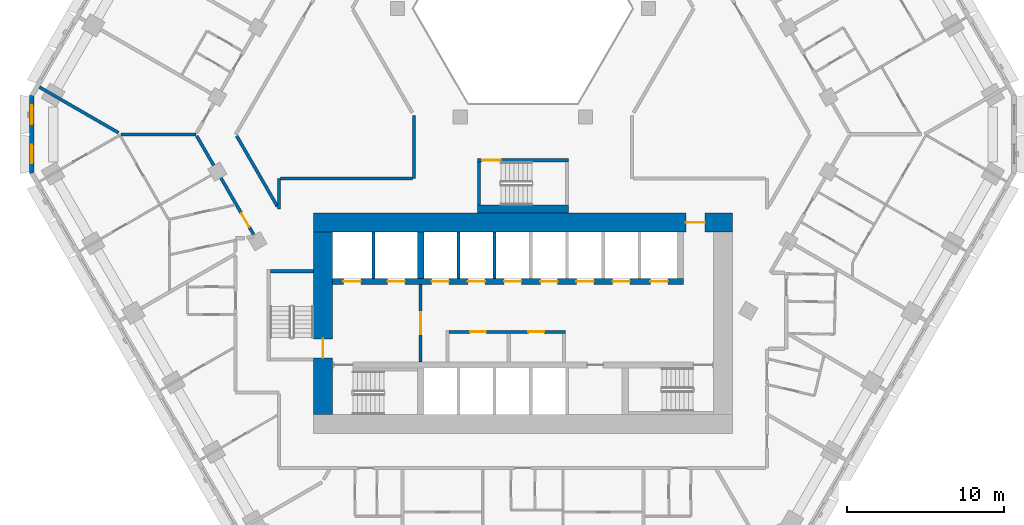
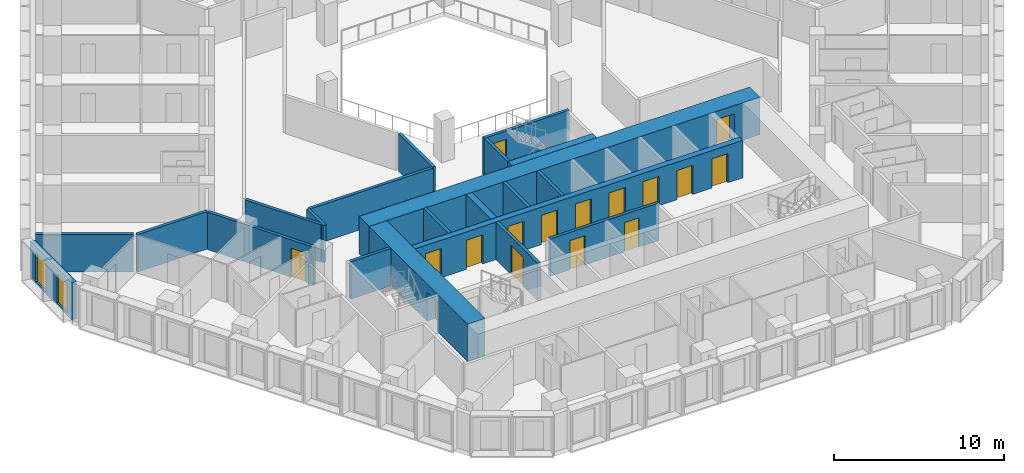
# One storey, part 5 of 21: 21 walls, 16 doors, 2 windows, 18 openings.
"""IFC4 building model written with IfcOpenShell, lengths in metres."""

from ifc_helpers import new_model, si_unit, direction, frame, frame_2d, origin, place, context, subcontext, project, spatial, polyline, rectangle, outline, extrude, material, layer, layer_set, type_object, element, fill, save


model = new_model("IFC4")

# Units and contexts
model_context = context("Model", 3, precision=1e-05, world=origin(), true_north=direction((0.0, 1.0)))
body_context = subcontext(model_context, "Body", "Model", "MODEL_VIEW")
ifc_project = project(units=[si_unit("LENGTHUNIT", "METRE"), si_unit("AREAUNIT", "SQUARE_METRE"), si_unit("VOLUMEUNIT", "CUBIC_METRE"), si_unit("PLANEANGLEUNIT", "RADIAN"), si_unit("MASSUNIT", "GRAM", prefix="KILO")], contexts=[model_context])

# Site, building, storey
site_placement = place(None, origin())
site = spatial("IfcSite", under=ifc_project, at=site_placement, CompositionType="ELEMENT")
building_placement = place(site_placement, origin())
building = spatial("IfcBuilding", under=site, at=building_placement, Name="Beryl Residences", CompositionType="ELEMENT")
storey_placement = place(building_placement, frame((0.0, 0.0, 41.39990234375)))
storey = spatial("IfcBuildingStorey", under=building, at=storey_placement, Name="L12", CompositionType="ELEMENT", Elevation=41.39990234375)

# Wall, openings, windows
ifc_material_1 = material(Name="Composite metal panel with mineral wool insulation")
ifc_layer_1 = layer(ifc_material_1, 0.300048828125)
ifc_layer_set_1 = layer_set([ifc_layer_1], Name="ES1 pale metal composite panel wall 300 mm")
wall_type_1 = type_object("IfcWallType", Name="ES1 pale metal composite panel wall 300 mm", PredefinedType="SOLIDWALL", material=ifc_layer_set_1)
wall_1_placement = place(storey_placement, frame((-31.199951171875, 2.5, 0.0), z_axis=(0.0, 0.0, 1.0), x_axis=(0.0, -1.0, 0.0)))
wall_1 = element("IfcWall", 1, at=wall_1_placement, inside=storey, type_object=wall_type_1, Name="ES1 external wall L12 NW-SW", PredefinedType="SOLIDWALL", context=body_context, shape_type="SweptSolid", body=[
    extrude(outline(polyline([(0.0, -0.14990234375), (5.0, -0.14990234375), (4.919677734375, 0.14990234375), (0.080322265625, 0.14990234375), (0.0, -0.14990234375)])), origin(), (0.0, 0.0, 1.0), 2.7001953125),
])
opening_1_placement = place(wall_1_placement, frame((0.64990234375, 0.0, 0.14990234375)))
opening_1 = element("IfcOpeningElement", 2, at=opening_1_placement, cuts=wall_1, Name="Opening W2", PredefinedType="OPENING", context=body_context, shape_type="SweptSolid", body=[
    extrude(rectangle(XDim=1.199951171875, YDim=2.10009765625, at=frame_2d((0.60009765625, 1.050048828125))), frame((0.0, 0.159912109375, 0.0), z_axis=(0.0, -1.0, 0.0), x_axis=(1.0, 0.0, 0.0)), (0.0, 0.0, 1.0), 0.320068359375),
])
opening_2_placement = place(wall_1_placement, frame((3.14990234375, 0.0, 0.14990234375)))
opening_2 = element("IfcOpeningElement", 3, at=opening_2_placement, cuts=wall_1, Name="Opening W2", PredefinedType="OPENING", context=body_context, shape_type="SweptSolid", body=[
    extrude(rectangle(XDim=1.199951171875, YDim=2.10009765625, at=frame_2d((0.60009765625, 1.050048828125))), frame((0.0, 0.159912109375, 0.0), z_axis=(0.0, -1.0, 0.0), x_axis=(1.0, 0.0, 0.0)), (0.0, 0.0, 1.0), 0.320068359375),
])
ifc_material_2 = material(Name="Aluminium and clear glass", Category="aluminium")
window_type = type_object("IfcWindowType", Name="W2 chamfer window 1200 x 2100 mm", PartitioningType="SINGLE_PANEL", PredefinedType="WINDOW", material=ifc_material_2)
window_1_placement = place(opening_1_placement, origin())
window_1 = element("IfcWindow", 4, at=window_1_placement, inside=storey, type_object=window_type, Name="W2 window L12 NW-SW 1", OverallHeight=2.10009765625, OverallWidth=1.199951171875, PartitioningType="SINGLE_PANEL", PredefinedType="WINDOW", context=body_context, shape_type="SweptSolid", body=[
    extrude(rectangle(XDim=1.199951171875, YDim=2.10009765625, at=frame_2d((0.60009765625, 1.050048828125))), frame((0.0, 0.030029296875, 0.0), z_axis=(0.0, -1.0, 0.0), x_axis=(1.0, 0.0, 0.0)), (0.0, 0.0, 1.0), 0.06005859375),
])
fill(opening_1, window_1)
window_2_placement = place(opening_2_placement, origin())
window_2 = element("IfcWindow", 5, at=window_2_placement, inside=storey, type_object=window_type, Name="W2 window L12 NW-SW 2", OverallHeight=2.10009765625, OverallWidth=1.199951171875, PartitioningType="SINGLE_PANEL", PredefinedType="WINDOW", context=body_context, shape_type="SweptSolid", body=[
    extrude(rectangle(XDim=1.199951171875, YDim=2.10009765625, at=frame_2d((0.60009765625, 1.050048828125))), frame((0.0, 0.030029296875, 0.0), z_axis=(0.0, -1.0, 0.0), x_axis=(1.0, 0.0, 0.0)), (0.0, 0.0, 1.0), 0.06005859375),
])
fill(opening_2, window_2)

# Wall, opening, door
ifc_material_3 = material(Name="Concrete masonry", Category="masonry")
ifc_layer_2 = layer(ifc_material_3, 0.199951171875)
ifc_layer_set_2 = layer_set([ifc_layer_2], Name="PT13 lobby wall 200 mm")
wall_type_2 = type_object("IfcWallType", Name="PT13 lobby wall 200 mm", PredefinedType="PARTITIONING", material=ifc_layer_set_2)
wall_2_placement = place(storey_placement, frame((-6.5, -14.449951171875, 0.0), z_axis=(0.0, 0.0, 1.0), x_axis=(0.0, 1.0, 0.0)))
wall_2 = element("IfcWall", 6, at=wall_2_placement, inside=storey, type_object=wall_type_2, Name="Lobby wall 06", PredefinedType="PARTITIONING", context=body_context, shape_type="SweptSolid", body=[
    extrude(rectangle(XDim=4.89990234375, YDim=0.199951171875, at=frame_2d((2.449951171875, 0.0))), origin(), (0.0, 0.0, 1.0), 2.7001953125),
])
opening_3_placement = place(wall_2_placement, frame((3.14990234375, 0.0, 0.0), z_axis=(0.0, 0.0, 1.0), x_axis=(-1.0, 0.0, 0.0)))
opening_3 = element("IfcOpeningElement", 7, at=opening_3_placement, cuts=wall_2, Name="Opening FD-FFL", PredefinedType="OPENING", context=body_context, shape_type="SweptSolid", body=[
    extrude(rectangle(XDim=1.39990234375, YDim=2.10009765625, at=frame_2d((0.699951171875, 1.050048828125))), frame((0.0, 0.10986328125, 0.0), z_axis=(0.0, -1.0, 0.0), x_axis=(1.0, 0.0, 0.0)), (0.0, 0.0, 1.0), 0.219970703125),
])
ifc_material_4 = material(Name="Steel door leaf in steel frame", Category="steel")
door_type_1 = type_object("IfcDoorType", Name="D5 lobby door 1400 x 2100 mm", OperationType="DOUBLE_DOOR_SINGLE_SWING", PredefinedType="DOOR", material=ifc_material_4)
door_1_placement = place(opening_3_placement, origin())
door_1 = element("IfcDoor", 8, at=door_1_placement, inside=storey, type_object=door_type_1, Name="Door FD-FFL L12 001", OperationType="DOUBLE_DOOR_SINGLE_SWING", OverallHeight=2.10009765625, OverallWidth=1.39990234375, PredefinedType="DOOR", context=body_context, shape_type="SweptSolid", body=[
    extrude(rectangle(XDim=1.39990234375, YDim=2.10009765625, at=frame_2d((0.699951171875, 1.050048828125))), frame((0.0, 0.02490234375, 0.0), z_axis=(0.0, -1.0, 0.0), x_axis=(1.0, 0.0, 0.0)), (0.0, 0.0, 1.0), 0.050048828125),
])
fill(opening_3, door_1)

# Wall, openings, doors
wall_3_placement = place(storey_placement, frame((-4.699951171875, -12.550048828125, 0.0), z_axis=(0.0, 0.0, 1.0), x_axis=(1.0, 0.0, 0.0)))
wall_3 = element("IfcWall", 9, at=wall_3_placement, inside=storey, type_object=wall_type_2, Name="Lobby wall 08", PredefinedType="PARTITIONING", context=body_context, shape_type="SweptSolid", body=[
    extrude(rectangle(XDim=7.39990234375, YDim=0.199951171875, at=frame_2d((3.699951171875, 0.0))), origin(), (0.0, 0.0, 1.0), 2.7001953125),
])
opening_4_placement = place(wall_3_placement, frame((2.35009765625, 0.0, 0.0), z_axis=(0.0, 0.0, 1.0), x_axis=(-1.0, 0.0, 0.0)))
opening_4 = element("IfcOpeningElement", 10, at=opening_4_placement, cuts=wall_3, Name="Opening CD-D-A1", PredefinedType="OPENING", context=body_context, shape_type="SweptSolid", body=[
    extrude(rectangle(XDim=1.0, YDim=2.10009765625, at=frame_2d((0.5, 1.050048828125))), frame((0.0, 0.10986328125, 0.0), z_axis=(0.0, -1.0, 0.0), x_axis=(1.0, 0.0, 0.0)), (0.0, 0.0, 1.0), 0.219970703125),
])
opening_5_placement = place(wall_3_placement, frame((6.050048828125, 0.0, 0.0), z_axis=(0.0, 0.0, 1.0), x_axis=(-1.0, 0.0, 0.0)))
opening_5 = element("IfcOpeningElement", 11, at=opening_5_placement, cuts=wall_3, Name="Opening CD-D-A2", PredefinedType="OPENING", context=body_context, shape_type="SweptSolid", body=[
    extrude(rectangle(XDim=1.0, YDim=2.10009765625, at=frame_2d((0.5, 1.050048828125))), frame((0.0, 0.10986328125, 0.0), z_axis=(0.0, -1.0, 0.0), x_axis=(1.0, 0.0, 0.0)), (0.0, 0.0, 1.0), 0.219970703125),
])
ifc_material_5 = material(Name="Steel door leaf in steel frame", Category="steel")
door_type_2 = type_object("IfcDoorType", Name="D18 service room door 1000 x 2100 mm", OperationType="SINGLE_SWING_LEFT", PredefinedType="DOOR", material=ifc_material_5)
door_2_placement = place(opening_4_placement, origin())
door_2 = element("IfcDoor", 12, at=door_2_placement, inside=storey, type_object=door_type_2, Name="Door CD-D-A1 L12 001", OperationType="SINGLE_SWING_RIGHT", OverallHeight=2.10009765625, OverallWidth=1.0, PredefinedType="DOOR", context=body_context, shape_type="SweptSolid", body=[
    extrude(rectangle(XDim=1.0, YDim=2.10009765625, at=frame_2d((0.5, 1.050048828125))), frame((0.0, 0.02490234375, 0.0), z_axis=(0.0, -1.0, 0.0), x_axis=(1.0, 0.0, 0.0)), (0.0, 0.0, 1.0), 0.050048828125),
])
fill(opening_4, door_2)
door_3_placement = place(opening_5_placement, origin())
door_3 = element("IfcDoor", 13, at=door_3_placement, inside=storey, type_object=door_type_2, Name="Door CD-D-A2 L12 001", OperationType="SINGLE_SWING_LEFT", OverallHeight=2.10009765625, OverallWidth=1.0, PredefinedType="DOOR", context=body_context, shape_type="SweptSolid", body=[
    extrude(rectangle(XDim=1.0, YDim=2.10009765625, at=frame_2d((0.5, 1.050048828125))), frame((0.0, 0.02490234375, 0.0), z_axis=(0.0, -1.0, 0.0), x_axis=(1.0, 0.0, 0.0)), (0.0, 0.0, 1.0), 0.050048828125),
])
fill(opening_5, door_3)

# Walls
ifc_material_6 = material(Name="Acoustic double stud gypsum board wall")
ifc_layer_3 = layer(ifc_material_6, 0.199951171875)
ifc_layer_set_3 = layer_set([ifc_layer_3], Name="PT3 party wall 200 mm acoustic double stud")
wall_type_3 = type_object("IfcWallType", Name="PT3 party wall 200 mm acoustic double stud", PredefinedType="PARTITIONING", material=ifc_layer_set_3)
wall_4_placement = place(storey_placement, frame((-30.716064453125, 2.9990234375, 0.0), z_axis=(0.0, 0.0, 1.0), x_axis=(0.866032775405, -0.499987231761, 0.0)))
element("IfcWall", 14, at=wall_4_placement, inside=storey, type_object=wall_type_3, Name="Wall PT3 L12 009", PredefinedType="PARTITIONING", context=body_context, shape_type="SweptSolid", body=[
    extrude(rectangle(XDim=5.800048828125, YDim=0.199951171875, at=frame_2d((2.89990234375, 0.0))), origin(), (0.0, 0.0, 1.0), 2.7001953125),
])
wall_5_placement = place(storey_placement, frame((-25.52001953125, -0.0009765625, 0.0), z_axis=(0.0, 0.0, 1.0), x_axis=(1.0, 0.0, 0.0)))
element("IfcWall", 15, at=wall_5_placement, inside=storey, type_object=wall_type_3, Name="Wall PT3 L12 014", PredefinedType="PARTITIONING", context=body_context, shape_type="SweptSolid", body=[
    extrude(rectangle(XDim=4.736083984375, YDim=0.199951171875, at=frame_2d((2.3681640625, 0.0))), origin(), (0.0, 0.0, 1.0), 2.7001953125),
])
ifc_material_7 = material(Name="Double stud gypsum board wall")
ifc_layer_4 = layer(ifc_material_7, 0.199951171875)
ifc_layer_set_4 = layer_set([ifc_layer_4], Name="PT4 corridor wall 200 mm double stud")
wall_type_4 = type_object("IfcWallType", Name="PT4 corridor wall 200 mm double stud", PredefinedType="PARTITIONING", material=ifc_layer_set_4)
wall_6_placement = place(storey_placement, frame((-18.18603515625, -0.10107421875, 0.0), z_axis=(0.0, 0.0, 1.0), x_axis=(0.499997591167, -0.86602679452, 0.0)))
element("IfcWall", 16, at=wall_6_placement, inside=storey, type_object=wall_type_4, Name="Wall PT4 L12 002", PredefinedType="PARTITIONING", context=body_context, shape_type="SweptSolid", body=[
    extrude(rectangle(XDim=5.171875, YDim=0.199951171875, at=frame_2d((2.5859375, 0.0))), origin(), (0.0, 0.0, 1.0), 2.7001953125),
])

# Wall, opening, door
wall_7_placement = place(storey_placement, frame((-20.72705078125, -0.10107421875, 0.0), z_axis=(0.0, 0.0, 1.0), x_axis=(0.500070814966, -0.865984514884, 0.0)))
wall_7 = element("IfcWall", 17, at=wall_7_placement, inside=storey, type_object=wall_type_4, Name="Wall PT4 L12 003", PredefinedType="PARTITIONING", context=body_context, shape_type="SweptSolid", body=[
    extrude(rectangle(XDim=7.2392578125, YDim=0.199951171875, at=frame_2d((3.61962890625, 0.0))), origin(), (0.0, 0.0, 1.0), 2.7001953125),
])
opening_6_placement = place(wall_7_placement, frame((5.680908203125, 0.0, 0.0)))
opening_6 = element("IfcOpeningElement", 18, at=opening_6_placement, cuts=wall_7, Name="Opening D0211", PredefinedType="OPENING", context=body_context, shape_type="SweptSolid", body=[
    extrude(rectangle(XDim=1.0, YDim=2.10009765625, at=frame_2d((0.5, 1.050048828125))), frame((0.0, 0.10986328125, 0.0), z_axis=(0.0, -1.0, 0.0), x_axis=(1.0, 0.0, 0.0)), (0.0, 0.0, 1.0), 0.219970703125),
])
ifc_material_8 = material(Name="Timber door leaf", Category="wood")
door_type_3 = type_object("IfcDoorType", Name="D1 flat entrance door 1000 x 2100 mm", OperationType="SINGLE_SWING_LEFT", PredefinedType="DOOR", material=ifc_material_8)
door_4_placement = place(opening_6_placement, origin())
door_4 = element("IfcDoor", 19, at=door_4_placement, inside=storey, type_object=door_type_3, Name="Door D0211 L12 001", OperationType="SINGLE_SWING_LEFT", OverallHeight=2.10009765625, OverallWidth=1.0, PredefinedType="DOOR", context=body_context, shape_type="SweptSolid", body=[
    extrude(rectangle(XDim=1.0, YDim=2.10009765625, at=frame_2d((0.5, 1.050048828125))), frame((0.0, 0.02490234375, 0.0), z_axis=(0.0, -1.0, 0.0), x_axis=(1.0, 0.0, 0.0)), (0.0, 0.0, 1.0), 0.050048828125),
])
fill(opening_6, door_4)

# Walls
wall_8_placement = place(storey_placement, frame((-15.39990234375, -2.800048828125, 0.0), z_axis=(0.0, 0.0, 1.0), x_axis=(1.0, 0.0, 0.0)))
element("IfcWall", 20, at=wall_8_placement, inside=storey, type_object=wall_type_4, Name="Wall PT4 L12 015", PredefinedType="PARTITIONING", context=body_context, shape_type="SweptSolid", body=[
    extrude(rectangle(XDim=8.371826171875, YDim=0.199951171875, at=frame_2d((4.18603515625, 0.0))), origin(), (0.0, 0.0, 1.0), 2.7001953125),
])
wall_9_placement = place(storey_placement, frame((-6.927978515625, -2.800048828125, 0.0), z_axis=(0.0, 0.0, 1.0), x_axis=(0.0, 1.0, 0.0)))
element("IfcWall", 21, at=wall_9_placement, inside=storey, type_object=wall_type_4, Name="Wall PT4 L12 032", PredefinedType="PARTITIONING", context=body_context, shape_type="SweptSolid", body=[
    extrude(rectangle(XDim=4.0, YDim=0.199951171875, at=frame_2d((2.0, 0.0))), origin(), (0.0, 0.0, 1.0), 2.7001953125),
])
wall_10_placement = place(storey_placement, frame((-15.5, -4.75390625, 0.0), z_axis=(0.0, 0.0, 1.0), x_axis=(0.0, 1.0, 0.0)))
element("IfcWall", 22, at=wall_10_placement, inside=storey, type_object=wall_type_4, Name="Wall PT4 L12 033", PredefinedType="PARTITIONING", context=body_context, shape_type="SweptSolid", body=[
    extrude(rectangle(XDim=1.953857421875, YDim=0.199951171875, at=frame_2d((0.97705078125, 0.0))), origin(), (0.0, 0.0, 1.0), 2.7001953125),
])

# Wall, opening, door
ifc_material_9 = material(Name="Concrete C40/50", Category="concrete")
ifc_layer_5 = layer(ifc_material_9, 0.199951171875)
ifc_layer_set_5 = layer_set([ifc_layer_5], Name="PT5 stair enclosure wall 200 mm reinforced concrete C40/50")
wall_type_5 = type_object("IfcWallType", Name="PT5 stair enclosure wall 200 mm reinforced concrete C40/50", PredefinedType="SOLIDWALL", material=ifc_layer_set_5)
wall_11_placement = place(storey_placement, frame((-2.89990234375, -1.64990234375, 0.0), z_axis=(0.0, 0.0, 1.0), x_axis=(1.0, 0.0, 0.0)))
wall_11 = element("IfcWall", 23, at=wall_11_placement, inside=storey, type_object=wall_type_5, Name="Wall PT5 L12 001", PredefinedType="SOLIDWALL", context=body_context, shape_type="SweptSolid", body=[
    extrude(rectangle(XDim=5.7998046875, YDim=0.199951171875, at=frame_2d((2.89990234375, 0.0))), origin(), (0.0, 0.0, 1.0), 2.7001953125),
])
opening_7_placement = place(wall_11_placement, frame((0.300048828125, 0.0, 0.0)))
opening_7 = element("IfcOpeningElement", 24, at=opening_7_placement, cuts=wall_11, Name="Opening DS04", PredefinedType="OPENING", context=body_context, shape_type="SweptSolid", body=[
    extrude(rectangle(XDim=1.199951171875, YDim=2.10009765625, at=frame_2d((0.60009765625, 1.050048828125))), frame((0.0, 0.10986328125, 0.0), z_axis=(0.0, -1.0, 0.0), x_axis=(1.0, 0.0, 0.0)), (0.0, 0.0, 1.0), 0.219970703125),
])
ifc_material_10 = material(Name="Steel door leaf in steel frame", Category="steel")
door_type_4 = type_object("IfcDoorType", Name="D4 stair door 1200 x 2100 mm", OperationType="SINGLE_SWING_LEFT", PredefinedType="DOOR", material=ifc_material_10)
door_5_placement = place(opening_7_placement, origin())
door_5 = element("IfcDoor", 25, at=door_5_placement, inside=storey, type_object=door_type_4, Name="Door DS04 L12 001", OperationType="SINGLE_SWING_LEFT", OverallHeight=2.10009765625, OverallWidth=1.199951171875, PredefinedType="DOOR", context=body_context, shape_type="SweptSolid", body=[
    extrude(rectangle(XDim=1.199951171875, YDim=2.10009765625, at=frame_2d((0.60009765625, 1.050048828125))), frame((0.0, 0.02490234375, 0.0), z_axis=(0.0, -1.0, 0.0), x_axis=(1.0, 0.0, 0.0)), (0.0, 0.0, 1.0), 0.050048828125),
])
fill(opening_7, door_5)

# Walls
for number, where, z_axis, x_axis, name in (
    (26, (-2.800048828125, -4.5, 0.0), (0.0, 0.0, 1.0), (0.0, 1.0, 0.0), "Wall PT5 L12 002"),
    (27, (-16.050048828125, -8.699951171875, 0.0), (0.0, 0.0, 1.0), (1.0, 0.0, 0.0), "Stair wall 03"),
):
    element("IfcWall", number, at=place(storey_placement, frame(where, z_axis=z_axis, x_axis=x_axis)), inside=storey, type_object=wall_type_5, Name=name, PredefinedType="SOLIDWALL", context=body_context, shape_type="SweptSolid", body=[
        extrude(rectangle(XDim=2.75, YDim=0.199951171875, at=frame_2d((1.375, 0.0))), origin(), (0.0, 0.0, 1.0), 2.7001953125),
    ])
ifc_material_11 = material(Name="Concrete C40/50", Category="concrete")
ifc_layer_6 = layer(ifc_material_11, 0.5)
ifc_layer_set_6 = layer_set([ifc_layer_6], Name="PT5-500 stair enclosure wall 500 mm")
wall_type_6 = type_object("IfcWallType", Name="PT5-500 stair enclosure wall 500 mm", PredefinedType="SOLIDWALL", material=ifc_layer_set_6)
wall_12_placement = place(storey_placement, frame((-2.89990234375, -4.75, 0.0), z_axis=(0.0, 0.0, 1.0), x_axis=(1.0, 0.0, 0.0)))
element("IfcWall", 28, at=wall_12_placement, inside=storey, type_object=wall_type_6, Name="Wall PT5-500 L12 001", PredefinedType="SOLIDWALL", context=body_context, shape_type="SweptSolid", body=[
    extrude(rectangle(XDim=5.7998046875, YDim=0.5, at=frame_2d((2.89990234375, 0.0))), origin(), (0.0, 0.0, 1.0), 2.7001953125),
])
ifc_material_12 = material(Name="Concrete C40/50", Category="concrete")
ifc_layer_7 = layer(ifc_material_12, 0.199951171875)
ifc_layer_set_7 = layer_set([ifc_layer_7], Name="PT6 lift shaft wall 200 mm reinforced concrete C40/50")
wall_type_7 = type_object("IfcWallType", Name="PT6 lift shaft wall 200 mm reinforced concrete C40/50", PredefinedType="SOLIDWALL", material=ifc_layer_set_7)
for number, where, z_axis, x_axis, name in (
    (29, (-9.5, -9.14990234375, 0.0), (0.0, 0.0, 1.0), (0.0, 1.0, 0.0), "Lift shaft wall 05"),
    (30, (-4.10009765625, -9.14990234375, 0.0), (0.0, 0.0, 1.0), (0.0, 1.0, 0.0), "Lift shaft wall 10"),
    (31, (-1.800048828125, -9.14990234375, 0.0), (0.0, 0.0, 1.0), (0.0, 1.0, 0.0), "Lift shaft wall 12"),
):
    element("IfcWall", number, at=place(storey_placement, frame(where, z_axis=z_axis, x_axis=x_axis)), inside=storey, type_object=wall_type_7, Name=name, PredefinedType="SOLIDWALL", context=body_context, shape_type="SweptSolid", body=[
        extrude(rectangle(XDim=2.949951171875, YDim=0.199951171875, at=frame_2d((1.47509765625, 0.0))), origin(), (0.0, 0.0, 1.0), 2.7001953125),
    ])

# Wall, opening, door
ifc_material_13 = material(Name="Concrete C80/95", Category="concrete")
ifc_layer_8 = layer(ifc_material_13, 1.199951171875)
ifc_layer_set_8 = layer_set([ifc_layer_8], Name="SW1 core outer wall 1200 mm C80/95")
wall_type_8 = type_object("IfcWallType", Name="SW1 core outer wall 1200 mm C80/95", PredefinedType="SHEAR", material=ifc_layer_set_8)
wall_13_placement = place(storey_placement, frame((-13.300048828125, -5.60009765625, 0.0), z_axis=(0.0, 0.0, 1.0), x_axis=(1.0, 0.0, 0.0)))
wall_13 = element("IfcWall", 32, at=wall_13_placement, inside=storey, type_object=wall_type_8, Name="Core wall N L12", PredefinedType="SHEAR", context=body_context, shape_type="SweptSolid", body=[
    extrude(rectangle(XDim=26.60009765625, YDim=1.199951171875, at=frame_2d((13.300048828125, 0.0))), origin(), (0.0, 0.0, 1.0), 2.7001953125),
])
opening_8_placement = place(wall_13_placement, frame((23.64990234375, 0.0, 0.0)))
opening_8 = element("IfcOpeningElement", 33, at=opening_8_placement, cuts=wall_13, Name="Opening FD-NORTH", PredefinedType="OPENING", context=body_context, shape_type="SweptSolid", body=[
    extrude(rectangle(XDim=1.199951171875, YDim=2.10009765625, at=frame_2d((0.60009765625, 1.050048828125))), frame((0.0, 0.60986328125, 0.0), z_axis=(0.0, -1.0, 0.0), x_axis=(1.0, 0.0, 0.0)), (0.0, 0.0, 1.0), 1.219970703125),
])
ifc_material_14 = material(Name="Steel door leaf in steel frame", Category="steel")
door_type_5 = type_object("IfcDoorType", Name="D22 lobby door 1200 x 2100 mm", OperationType="DOUBLE_DOOR_SINGLE_SWING", PredefinedType="DOOR", material=ifc_material_14)
door_6_placement = place(opening_8_placement, origin())
door_6 = element("IfcDoor", 34, at=door_6_placement, inside=storey, type_object=door_type_5, Name="Door FD-NORTH L12 001", OperationType="DOUBLE_DOOR_SINGLE_SWING", OverallHeight=2.10009765625, OverallWidth=1.199951171875, PredefinedType="DOOR", context=body_context, shape_type="SweptSolid", body=[
    extrude(rectangle(XDim=1.199951171875, YDim=2.10009765625, at=frame_2d((0.60009765625, 1.050048828125))), frame((0.0, 0.02490234375, 0.0), z_axis=(0.0, -1.0, 0.0), x_axis=(1.0, 0.0, 0.0)), (0.0, 0.0, 1.0), 0.050048828125),
])
fill(opening_8, door_6)

wall_14_placement = place(storey_placement, frame((-12.699951171875, -17.800048828125, 0.0), z_axis=(0.0, 0.0, 1.0), x_axis=(0.0, 1.0, 0.0)))
wall_14 = element("IfcWall", 35, at=wall_14_placement, inside=storey, type_object=wall_type_8, Name="Core wall W L12", PredefinedType="SHEAR", context=body_context, shape_type="SweptSolid", body=[
    extrude(rectangle(XDim=11.60009765625, YDim=1.199951171875, at=frame_2d((5.800048828125, 0.0))), origin(), (0.0, 0.0, 1.0), 2.7001953125),
])
opening_9_placement = place(wall_14_placement, frame((3.60009765625, 0.0, 0.0)))
opening_9 = element("IfcOpeningElement", 36, at=opening_9_placement, cuts=wall_14, Name="Opening SD-2", PredefinedType="OPENING", context=body_context, shape_type="SweptSolid", body=[
    extrude(rectangle(XDim=1.199951171875, YDim=2.10009765625, at=frame_2d((0.60009765625, 1.050048828125))), frame((0.0, 0.60986328125, 0.0), z_axis=(0.0, -1.0, 0.0), x_axis=(1.0, 0.0, 0.0)), (0.0, 0.0, 1.0), 1.219970703125),
])
door_7_placement = place(opening_9_placement, origin())
door_7 = element("IfcDoor", 37, at=door_7_placement, inside=storey, type_object=door_type_4, Name="Door SD-2 L12 001", OperationType="SINGLE_SWING_RIGHT", OverallHeight=2.10009765625, OverallWidth=1.199951171875, PredefinedType="DOOR", context=body_context, shape_type="SweptSolid", body=[
    extrude(rectangle(XDim=1.199951171875, YDim=2.10009765625, at=frame_2d((0.60009765625, 1.050048828125))), frame((0.0, 0.02490234375, 0.0), z_axis=(0.0, -1.0, 0.0), x_axis=(1.0, 0.0, 0.0)), (0.0, 0.0, 1.0), 0.050048828125),
])
fill(opening_9, door_7)

# Wall, openings, doors
ifc_material_15 = material(Name="Concrete C80/95", Category="concrete")
ifc_layer_9 = layer(ifc_material_15, 0.39990234375)
ifc_layer_set_9 = layer_set([ifc_layer_9], Name="SW6 core internal wall 400 mm C80/95")
wall_type_9 = type_object("IfcWallType", Name="SW6 core internal wall 400 mm C80/95", PredefinedType="SHEAR", material=ifc_layer_set_9)
wall_15_placement = place(storey_placement, frame((-12.10009765625, -9.35009765625, 0.0), z_axis=(0.0, 0.0, 1.0), x_axis=(1.0, 0.0, 0.0)))
wall_15 = element("IfcWall", 38, at=wall_15_placement, inside=storey, type_object=wall_type_9, Name="Core wall SP2 L12", PredefinedType="SHEAR", context=body_context, shape_type="SweptSolid", body=[
    extrude(rectangle(XDim=22.300048828125, YDim=0.39990234375, at=frame_2d((11.14990234375, 0.0))), origin(), (0.0, 0.0, 1.0), 2.7001953125),
])
opening_10_placement = place(wall_15_placement, frame((0.699951171875, 0.0, 0.0)))
opening_10 = element("IfcOpeningElement", 39, at=opening_10_placement, cuts=wall_15, Name="Opening LD-FF1", PredefinedType="OPENING", context=body_context, shape_type="SweptSolid", body=[
    extrude(rectangle(XDim=1.10009765625, YDim=2.10009765625, at=frame_2d((0.550048828125, 1.050048828125))), frame((0.0, 0.2099609375, 0.0), z_axis=(0.0, -1.0, 0.0), x_axis=(1.0, 0.0, 0.0)), (0.0, 0.0, 1.0), 0.419921875),
])
opening_11_placement = place(wall_15_placement, frame((3.5, 0.0, 0.0)))
opening_11 = element("IfcOpeningElement", 40, at=opening_11_placement, cuts=wall_15, Name="Opening LD-FF2", PredefinedType="OPENING", context=body_context, shape_type="SweptSolid", body=[
    extrude(rectangle(XDim=1.10009765625, YDim=2.10009765625, at=frame_2d((0.550048828125, 1.050048828125))), frame((0.0, 0.2099609375, 0.0), z_axis=(0.0, -1.0, 0.0), x_axis=(1.0, 0.0, 0.0)), (0.0, 0.0, 1.0), 0.419921875),
])
opening_12_placement = place(wall_15_placement, frame((6.300048828125, 0.0, 0.0)))
opening_12 = element("IfcOpeningElement", 41, at=opening_12_placement, cuts=wall_15, Name="Opening LD-LR1", PredefinedType="OPENING", context=body_context, shape_type="SweptSolid", body=[
    extrude(rectangle(XDim=1.10009765625, YDim=2.10009765625, at=frame_2d((0.550048828125, 1.050048828125))), frame((0.0, 0.2099609375, 0.0), z_axis=(0.0, -1.0, 0.0), x_axis=(1.0, 0.0, 0.0)), (0.0, 0.0, 1.0), 0.419921875),
])
opening_13_placement = place(wall_15_placement, frame((8.60009765625, 0.0, 0.0)))
opening_13 = element("IfcOpeningElement", 42, at=opening_13_placement, cuts=wall_15, Name="Opening LD-LR2", PredefinedType="OPENING", context=body_context, shape_type="SweptSolid", body=[
    extrude(rectangle(XDim=1.10009765625, YDim=2.10009765625, at=frame_2d((0.550048828125, 1.050048828125))), frame((0.0, 0.2099609375, 0.0), z_axis=(0.0, -1.0, 0.0), x_axis=(1.0, 0.0, 0.0)), (0.0, 0.0, 1.0), 0.419921875),
])
opening_14_placement = place(wall_15_placement, frame((10.89990234375, 0.0, 0.0)))
opening_14 = element("IfcOpeningElement", 43, at=opening_14_placement, cuts=wall_15, Name="Opening LD-LR3", PredefinedType="OPENING", context=body_context, shape_type="SweptSolid", body=[
    extrude(rectangle(XDim=1.10009765625, YDim=2.10009765625, at=frame_2d((0.550048828125, 1.050048828125))), frame((0.0, 0.2099609375, 0.0), z_axis=(0.0, -1.0, 0.0), x_axis=(1.0, 0.0, 0.0)), (0.0, 0.0, 1.0), 0.419921875),
])
opening_15_placement = place(wall_15_placement, frame((13.199951171875, 0.0, 0.0)))
opening_15 = element("IfcOpeningElement", 44, at=opening_15_placement, cuts=wall_15, Name="Opening LD-LR4", PredefinedType="OPENING", context=body_context, shape_type="SweptSolid", body=[
    extrude(rectangle(XDim=1.10009765625, YDim=2.10009765625, at=frame_2d((0.550048828125, 1.050048828125))), frame((0.0, 0.2099609375, 0.0), z_axis=(0.0, -1.0, 0.0), x_axis=(1.0, 0.0, 0.0)), (0.0, 0.0, 1.0), 0.419921875),
])
opening_16_placement = place(wall_15_placement, frame((15.5, 0.0, 0.0)))
opening_16 = element("IfcOpeningElement", 45, at=opening_16_placement, cuts=wall_15, Name="Opening LD-LR5", PredefinedType="OPENING", context=body_context, shape_type="SweptSolid", body=[
    extrude(rectangle(XDim=1.10009765625, YDim=2.10009765625, at=frame_2d((0.550048828125, 1.050048828125))), frame((0.0, 0.2099609375, 0.0), z_axis=(0.0, -1.0, 0.0), x_axis=(1.0, 0.0, 0.0)), (0.0, 0.0, 1.0), 0.419921875),
])
opening_17_placement = place(wall_15_placement, frame((17.800048828125, 0.0, 0.0)))
opening_17 = element("IfcOpeningElement", 46, at=opening_17_placement, cuts=wall_15, Name="Opening LD-LR6", PredefinedType="OPENING", context=body_context, shape_type="SweptSolid", body=[
    extrude(rectangle(XDim=1.10009765625, YDim=2.10009765625, at=frame_2d((0.550048828125, 1.050048828125))), frame((0.0, 0.2099609375, 0.0), z_axis=(0.0, -1.0, 0.0), x_axis=(1.0, 0.0, 0.0)), (0.0, 0.0, 1.0), 0.419921875),
])
opening_18_placement = place(wall_15_placement, frame((20.199951171875, 0.0, 0.0)))
opening_18 = element("IfcOpeningElement", 47, at=opening_18_placement, cuts=wall_15, Name="Opening LD-SL1", PredefinedType="OPENING", context=body_context, shape_type="SweptSolid", body=[
    extrude(rectangle(XDim=1.10009765625, YDim=2.10009765625, at=frame_2d((0.550048828125, 1.050048828125))), frame((0.0, 0.2099609375, 0.0), z_axis=(0.0, -1.0, 0.0), x_axis=(1.0, 0.0, 0.0)), (0.0, 0.0, 1.0), 0.419921875),
])
ifc_material_16 = material(Name="Stainless steel sliding door", Category="steel")
door_type_6 = type_object("IfcDoorType", Name="LD1 lift landing door 1100 x 2100 mm", OperationType="DOUBLE_DOOR_SLIDING", PredefinedType="DOOR", material=ifc_material_16)
door_8_placement = place(opening_10_placement, origin())
door_8 = element("IfcDoor", 48, at=door_8_placement, inside=storey, type_object=door_type_6, Name="Lift landing door FF1", OperationType="DOUBLE_DOOR_SLIDING", OverallHeight=2.10009765625, OverallWidth=1.10009765625, PredefinedType="DOOR", context=body_context, shape_type="SweptSolid", body=[
    extrude(rectangle(XDim=1.10009765625, YDim=2.10009765625, at=frame_2d((0.550048828125, 1.050048828125))), frame((0.0, 0.02490234375, 0.0), z_axis=(0.0, -1.0, 0.0), x_axis=(1.0, 0.0, 0.0)), (0.0, 0.0, 1.0), 0.050048828125),
])
fill(opening_10, door_8)
door_9_placement = place(opening_11_placement, origin())
door_9 = element("IfcDoor", 49, at=door_9_placement, inside=storey, type_object=door_type_6, Name="Lift landing door FF2", OperationType="DOUBLE_DOOR_SLIDING", OverallHeight=2.10009765625, OverallWidth=1.10009765625, PredefinedType="DOOR", context=body_context, shape_type="SweptSolid", body=[
    extrude(rectangle(XDim=1.10009765625, YDim=2.10009765625, at=frame_2d((0.550048828125, 1.050048828125))), frame((0.0, 0.02490234375, 0.0), z_axis=(0.0, -1.0, 0.0), x_axis=(1.0, 0.0, 0.0)), (0.0, 0.0, 1.0), 0.050048828125),
])
fill(opening_11, door_9)
door_10_placement = place(opening_12_placement, origin())
door_10 = element("IfcDoor", 50, at=door_10_placement, inside=storey, type_object=door_type_6, Name="Lift landing door LR1", OperationType="DOUBLE_DOOR_SLIDING", OverallHeight=2.10009765625, OverallWidth=1.10009765625, PredefinedType="DOOR", context=body_context, shape_type="SweptSolid", body=[
    extrude(rectangle(XDim=1.10009765625, YDim=2.10009765625, at=frame_2d((0.550048828125, 1.050048828125))), frame((0.0, 0.02490234375, 0.0), z_axis=(0.0, -1.0, 0.0), x_axis=(1.0, 0.0, 0.0)), (0.0, 0.0, 1.0), 0.050048828125),
])
fill(opening_12, door_10)
door_11_placement = place(opening_13_placement, origin())
door_11 = element("IfcDoor", 51, at=door_11_placement, inside=storey, type_object=door_type_6, Name="Lift landing door LR2", OperationType="DOUBLE_DOOR_SLIDING", OverallHeight=2.10009765625, OverallWidth=1.10009765625, PredefinedType="DOOR", context=body_context, shape_type="SweptSolid", body=[
    extrude(rectangle(XDim=1.10009765625, YDim=2.10009765625, at=frame_2d((0.550048828125, 1.050048828125))), frame((0.0, 0.02490234375, 0.0), z_axis=(0.0, -1.0, 0.0), x_axis=(1.0, 0.0, 0.0)), (0.0, 0.0, 1.0), 0.050048828125),
])
fill(opening_13, door_11)
door_12_placement = place(opening_14_placement, origin())
door_12 = element("IfcDoor", 52, at=door_12_placement, inside=storey, type_object=door_type_6, Name="Lift landing door LR3", OperationType="DOUBLE_DOOR_SLIDING", OverallHeight=2.10009765625, OverallWidth=1.10009765625, PredefinedType="DOOR", context=body_context, shape_type="SweptSolid", body=[
    extrude(rectangle(XDim=1.10009765625, YDim=2.10009765625, at=frame_2d((0.550048828125, 1.050048828125))), frame((0.0, 0.02490234375, 0.0), z_axis=(0.0, -1.0, 0.0), x_axis=(1.0, 0.0, 0.0)), (0.0, 0.0, 1.0), 0.050048828125),
])
fill(opening_14, door_12)
door_13_placement = place(opening_15_placement, origin())
door_13 = element("IfcDoor", 53, at=door_13_placement, inside=storey, type_object=door_type_6, Name="Lift landing door LR4", OperationType="DOUBLE_DOOR_SLIDING", OverallHeight=2.10009765625, OverallWidth=1.10009765625, PredefinedType="DOOR", context=body_context, shape_type="SweptSolid", body=[
    extrude(rectangle(XDim=1.10009765625, YDim=2.10009765625, at=frame_2d((0.550048828125, 1.050048828125))), frame((0.0, 0.02490234375, 0.0), z_axis=(0.0, -1.0, 0.0), x_axis=(1.0, 0.0, 0.0)), (0.0, 0.0, 1.0), 0.050048828125),
])
fill(opening_15, door_13)
door_14_placement = place(opening_16_placement, origin())
door_14 = element("IfcDoor", 54, at=door_14_placement, inside=storey, type_object=door_type_6, Name="Lift landing door LR5", OperationType="DOUBLE_DOOR_SLIDING", OverallHeight=2.10009765625, OverallWidth=1.10009765625, PredefinedType="DOOR", context=body_context, shape_type="SweptSolid", body=[
    extrude(rectangle(XDim=1.10009765625, YDim=2.10009765625, at=frame_2d((0.550048828125, 1.050048828125))), frame((0.0, 0.02490234375, 0.0), z_axis=(0.0, -1.0, 0.0), x_axis=(1.0, 0.0, 0.0)), (0.0, 0.0, 1.0), 0.050048828125),
])
fill(opening_16, door_14)
door_15_placement = place(opening_17_placement, origin())
door_15 = element("IfcDoor", 55, at=door_15_placement, inside=storey, type_object=door_type_6, Name="Lift landing door LR6", OperationType="DOUBLE_DOOR_SLIDING", OverallHeight=2.10009765625, OverallWidth=1.10009765625, PredefinedType="DOOR", context=body_context, shape_type="SweptSolid", body=[
    extrude(rectangle(XDim=1.10009765625, YDim=2.10009765625, at=frame_2d((0.550048828125, 1.050048828125))), frame((0.0, 0.02490234375, 0.0), z_axis=(0.0, -1.0, 0.0), x_axis=(1.0, 0.0, 0.0)), (0.0, 0.0, 1.0), 0.050048828125),
])
fill(opening_17, door_15)
door_16_placement = place(opening_18_placement, origin())
door_16 = element("IfcDoor", 56, at=door_16_placement, inside=storey, type_object=door_type_6, Name="Lift landing door SL1", OperationType="DOUBLE_DOOR_SLIDING", OverallHeight=2.10009765625, OverallWidth=1.10009765625, PredefinedType="DOOR", context=body_context, shape_type="SweptSolid", body=[
    extrude(rectangle(XDim=1.10009765625, YDim=2.10009765625, at=frame_2d((0.550048828125, 1.050048828125))), frame((0.0, 0.02490234375, 0.0), z_axis=(0.0, -1.0, 0.0), x_axis=(1.0, 0.0, 0.0)), (0.0, 0.0, 1.0), 0.050048828125),
])
fill(opening_18, door_16)

# Wall
wall_16_placement = place(storey_placement, frame((-6.5, -9.14990234375, 0.0), z_axis=(0.0, 0.0, 1.0), x_axis=(0.0, 1.0, 0.0)))
element("IfcWall", 57, at=wall_16_placement, inside=storey, type_object=wall_type_9, Name="Core wall XN1 L12", PredefinedType="SHEAR", context=body_context, shape_type="SweptSolid", body=[
    extrude(rectangle(XDim=2.949951171875, YDim=0.39990234375, at=frame_2d((1.47509765625, 0.0))), origin(), (0.0, 0.0, 1.0), 2.7001953125),
])

save(model, "model.ifc")
